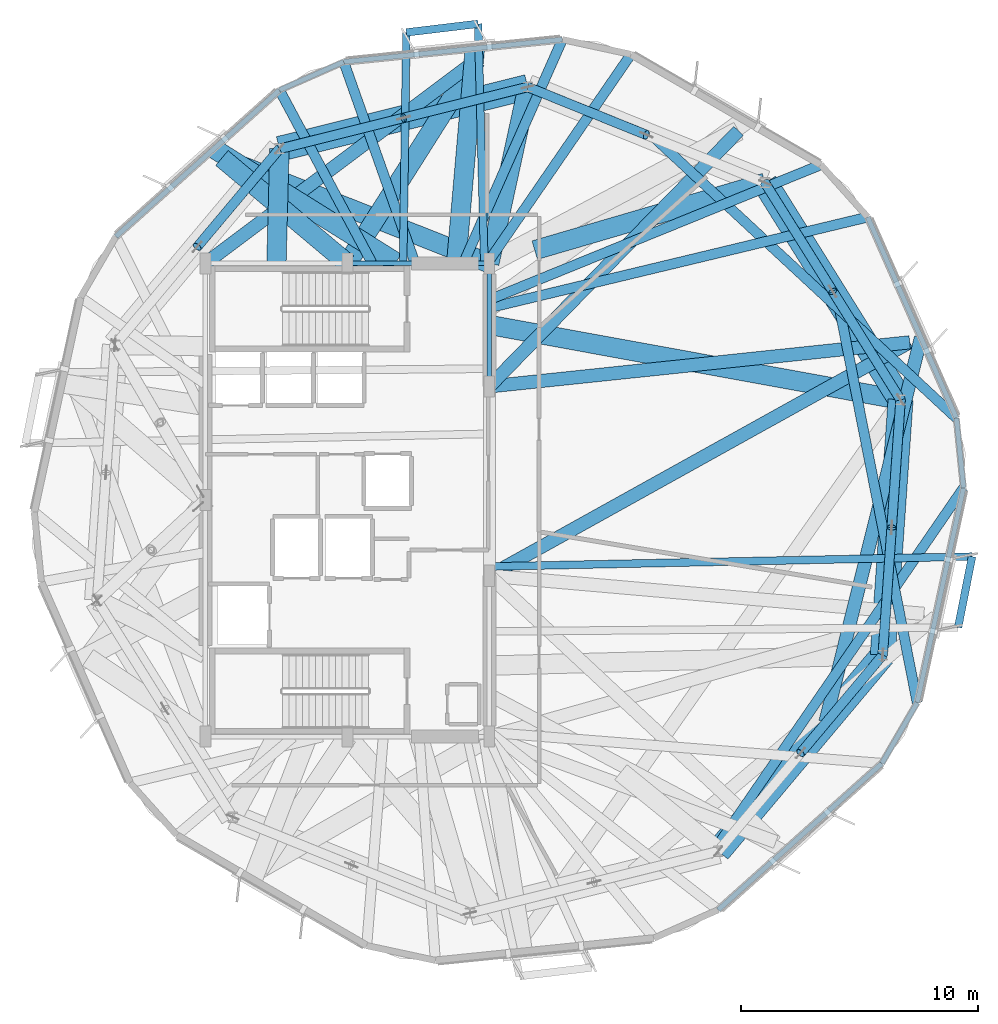
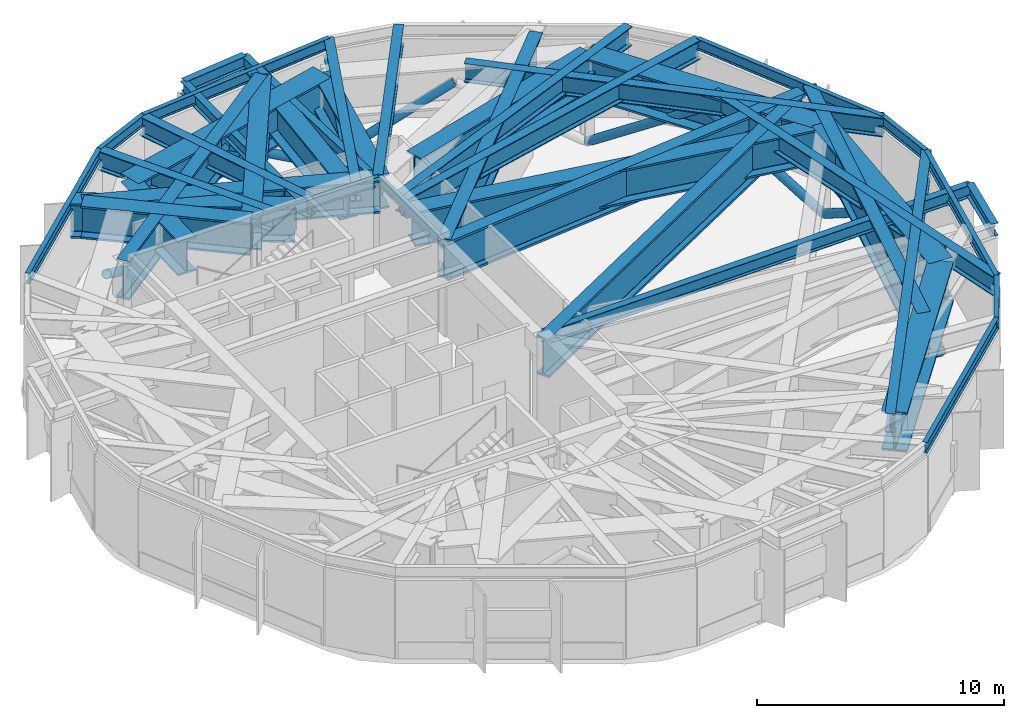
# One storey, part 4 of 14: 42 beams, 9 members.
"""IFC4 building model written with IfcOpenShell, lengths in metres."""

from ifc_helpers import new_model, si_unit, direction, frame, origin, origin_2d, place, context, subcontext, project, spatial, hollow_circle, i_section, extrude, material, material_profile, profile_set, type_object, element, save


model = new_model("IFC4")

# Units and contexts
model_context = context("Model", 3, precision=1e-05, world=origin(), true_north=direction((0.0, 1.0)))
body_context = subcontext(model_context, "Body", "Model", "MODEL_VIEW")
ifc_project = project(units=[si_unit("LENGTHUNIT", "METRE"), si_unit("AREAUNIT", "SQUARE_METRE"), si_unit("VOLUMEUNIT", "CUBIC_METRE"), si_unit("PLANEANGLEUNIT", "RADIAN"), si_unit("MASSUNIT", "GRAM", prefix="KILO")], contexts=[model_context])

# Site, building, storey
site_placement = place(None, origin())
site = spatial("IfcSite", under=ifc_project, at=site_placement, CompositionType="ELEMENT")
building_placement = place(site_placement, origin())
building = spatial("IfcBuilding", under=site, at=building_placement, Name="Soratama Intermodal Tower", CompositionType="ELEMENT")
storey_placement = place(building_placement, frame((0.0, 0.0, 185.800048828125)))
storey = spatial("IfcBuildingStorey", under=building, at=storey_placement, Name="L46", CompositionType="ELEMENT", Elevation=185.800048828125)

# Beams
ifc_material_1 = material(Name="Structural steel ASTM A992 Grade 50", Category="steel")
ifc_material_profile_1 = material_profile(ifc_material_1, i_section(OverallWidth=0.324951171875, OverallDepth=0.615966796875, WebThickness=0.013916015625, FlangeThickness=0.021484375, FilletRadius=0.013916015625, at=origin_2d()), Name="W24X117")
ifc_profile_set_1 = profile_set([ifc_material_profile_1], Name="Structural steel ASTM A992 Grade 50")
beam_type_1 = type_object("IfcBeamType", Name="BM-CANT-W24X117", PredefinedType="BEAM", material=ifc_profile_set_1)
beam_1_placement = place(storey_placement, frame((64.412109375, 19.614013671875, 4.19189453125), z_axis=(0.19347103093, 0.981105988255, 0.0), x_axis=(-0.981105988255, 0.19347103093, 0.0)))
element("IfcBeam", 1, at=beam_1_placement, inside=storey, type_object=beam_type_1, Name="BM-L46-CBHDR-1", PredefinedType="BEAM", context=body_context, shape_type="SweptSolid", body=[
    extrude(i_section(OverallWidth=0.324951171875, OverallDepth=0.615966796875, WebThickness=0.013916015625, FlangeThickness=0.021484375, FilletRadius=0.013916015625, at=origin_2d()), origin(), (0.0, 0.0, 1.0), 3.0537109375),
])
beam_2_placement = place(storey_placement, frame((44.123046875, 45.126953125, 4.19189453125), z_axis=(-0.992865481338, -0.119239825427, 0.0), x_axis=(0.119239825427, -0.992865481338, 0.0)))
element("IfcBeam", 2, at=beam_2_placement, inside=storey, type_object=beam_type_1, Name="BM-L46-CBHDR-2", PredefinedType="BEAM", context=body_context, shape_type="SweptSolid", body=[
    extrude(i_section(OverallWidth=0.324951171875, OverallDepth=0.615966796875, WebThickness=0.013916015625, FlangeThickness=0.021484375, FilletRadius=0.013916015625, at=origin_2d()), origin(), (0.0, 0.0, 1.0), 3.052734375),
])
beam_3_placement = place(storey_placement, frame((44.8349609375, 22.19189453125, 4.19189453125), z_axis=(0.999785068296, 0.020732033483, 0.0), x_axis=(-0.020732033483, 0.999785068296, 0.0)))
element("IfcBeam", 3, at=beam_3_placement, inside=storey, type_object=beam_type_1, Name="BM-L46-CANT-1-2", PredefinedType="BEAM", context=body_context, shape_type="SweptSolid", body=[
    extrude(i_section(OverallWidth=0.324951171875, OverallDepth=0.615966796875, WebThickness=0.013916015625, FlangeThickness=0.021484375, FilletRadius=0.013916015625, at=origin_2d()), origin(), (0.0, 0.0, 1.0), 20.17236328125),
])
beam_4_placement = place(storey_placement, frame((44.385986328125, 35.0400390625, 4.19189453125), z_axis=(-0.026058531103, 0.999660418821, 0.0), x_axis=(-0.999660418821, -0.026058531103, 0.0)))
element("IfcBeam", 4, at=beam_4_placement, inside=storey, type_object=beam_type_1, Name="BM-L46-CANT-2-1", PredefinedType="BEAM", context=body_context, shape_type="SweptSolid", body=[
    extrude(i_section(OverallWidth=0.324951171875, OverallDepth=0.615966796875, WebThickness=0.013916015625, FlangeThickness=0.021484375, FilletRadius=0.013916015625, at=origin_2d()), origin(), (0.0, 0.0, 1.0), 10.09033203125),
])
beam_5_placement = place(storey_placement, frame((40.9541015625, 35.0400390625, 4.19189453125), z_axis=(0.014185640904, 0.999899378734, 0.0), x_axis=(-0.999899378734, 0.014185640904, 0.0)))
element("IfcBeam", 5, at=beam_5_placement, inside=storey, type_object=beam_type_1, Name="BM-L46-CANT-2-2", PredefinedType="BEAM", context=body_context, shape_type="SweptSolid", body=[
    extrude(i_section(OverallWidth=0.324951171875, OverallDepth=0.615966796875, WebThickness=0.013916015625, FlangeThickness=0.021484375, FilletRadius=0.013916015625, at=origin_2d()), origin(), (0.0, 0.0, 1.0), 9.723876953125),
])
ifc_material_2 = material(Name="Structural steel ASTM A992 Grade 50", Category="steel")
ifc_material_profile_2 = material_profile(ifc_material_2, i_section(OverallWidth=0.19091796875, OverallDepth=0.4599609375, WebThickness=0.010009765625, FlangeThickness=0.01611328125, FilletRadius=0.010986328125, at=origin_2d()), Name="W18X55")
ifc_profile_set_2 = profile_set([ifc_material_profile_2], Name="Structural steel ASTM A992 Grade 50")
beam_type_2 = type_object("IfcBeamType", Name="BM-FLR-W18X55", PredefinedType="BEAM", material=ifc_profile_set_2)
beam_6_placement = place(storey_placement, frame((44.60009765625, 29.800048828125, 4.27001953125), z_axis=(0.0, 1.0, 0.0), x_axis=(-1.0, 0.0, 0.0)))
element("IfcBeam", 6, at=beam_6_placement, inside=storey, type_object=beam_type_2, Name="BM-L46-CRING-05", PredefinedType="BEAM", context=body_context, shape_type="SweptSolid", body=[
    extrude(i_section(OverallWidth=0.19091796875, OverallDepth=0.4599609375, WebThickness=0.010009765625, FlangeThickness=0.01611328125, FilletRadius=0.010986328125, at=origin_2d()), origin(), (0.0, 0.0, 1.0), 5.199951171875),
])
beam_7_placement = place(storey_placement, frame((44.60009765625, 35.0, 4.27001953125), z_axis=(-1.0, 0.0, 0.0), x_axis=(0.0, -1.0, 0.0)))
element("IfcBeam", 7, at=beam_7_placement, inside=storey, type_object=beam_type_2, Name="BM-L46-CRING-06", PredefinedType="BEAM", context=body_context, shape_type="SweptSolid", body=[
    extrude(i_section(OverallWidth=0.19091796875, OverallDepth=0.4599609375, WebThickness=0.010009765625, FlangeThickness=0.01611328125, FilletRadius=0.010986328125, at=origin_2d()), origin(), (0.0, 0.0, 1.0), 6.0),
])
ifc_material_3 = material(Name="Structural steel ASTM A992 Grade 50", Category="steel")
ifc_material_profile_3 = material_profile(ifc_material_3, i_section(OverallWidth=0.423095703125, OverallDepth=0.93896484375, WebThickness=0.02392578125, FlangeThickness=0.042724609375, FilletRadius=0.02392578125, at=origin_2d()), Name="W36X302")
ifc_profile_set_3 = profile_set([ifc_material_profile_3], Name="Structural steel ASTM A992 Grade 50")
beam_type_3 = type_object("IfcBeamType", Name="BM-POD-W36X302", PredefinedType="BEAM", material=ifc_profile_set_3)
beam_8_placement = place(storey_placement, frame((44.636962890625, 33.48095703125, 4.030517578125), z_axis=(0.926221295171, 0.376980254619, 0.0), x_axis=(-0.376980254619, 0.926221295171, 0.0)))
element("IfcBeam", 8, at=beam_8_placement, inside=storey, type_object=beam_type_3, Name="BM-L46-TIE0-01", PredefinedType="BEAM", context=body_context, shape_type="SweptSolid", body=[
    extrude(i_section(OverallWidth=0.423095703125, OverallDepth=0.93896484375, WebThickness=0.02392578125, FlangeThickness=0.042724609375, FilletRadius=0.02392578125, at=origin_2d()), origin(), (0.0, 0.0, 1.0), 15.08837890625),
])
beam_9_placement = place(storey_placement, frame((44.530029296875, 35.032958984375, 4.030517578125), z_axis=(0.566564700557, 0.824017257151, 0.0), x_axis=(-0.824017257151, 0.566564700557, 0.0)))
element("IfcBeam", 9, at=beam_9_placement, inside=storey, type_object=beam_type_3, Name="BM-L46-TIE1-01", PredefinedType="BEAM", context=body_context, shape_type="SweptSolid", body=[
    extrude(i_section(OverallWidth=0.423095703125, OverallDepth=0.93896484375, WebThickness=0.02392578125, FlangeThickness=0.042724609375, FilletRadius=0.02392578125, at=origin_2d()), origin(), (0.0, 0.0, 1.0), 10.685302734375),
])
beam_10_placement = place(storey_placement, frame((43.51611328125, 35.037109375, 4.030517578125), z_axis=(0.404370765317, 0.914595147679, 0.0), x_axis=(-0.914595147679, 0.404370765317, 0.0)))
element("IfcBeam", 10, at=beam_10_placement, inside=storey, type_object=beam_type_3, Name="BM-L46-TIE0-02", PredefinedType="BEAM", context=body_context, shape_type="SweptSolid", body=[
    extrude(i_section(OverallWidth=0.423095703125, OverallDepth=0.93896484375, WebThickness=0.02392578125, FlangeThickness=0.042724609375, FilletRadius=0.02392578125, at=origin_2d()), origin(), (0.0, 0.0, 1.0), 10.307373046875),
])
beam_11_placement = place(storey_placement, frame((41.447021484375, 35.0380859375, 4.030517578125), z_axis=(-0.333671376214, 0.942689457189, 0.0), x_axis=(-0.942689457189, -0.333671376214, 0.0)))
element("IfcBeam", 11, at=beam_11_placement, inside=storey, type_object=beam_type_3, Name="BM-L46-TIE1-02", PredefinedType="BEAM", context=body_context, shape_type="SweptSolid", body=[
    extrude(i_section(OverallWidth=0.423095703125, OverallDepth=0.93896484375, WebThickness=0.02392578125, FlangeThickness=0.042724609375, FilletRadius=0.02392578125, at=origin_2d()), origin(), (0.0, 0.0, 1.0), 8.999755859375),
])
beam_12_placement = place(storey_placement, frame((39.6298828125, 35.034912109375, 4.030517578125), z_axis=(-0.471755847605, 0.881729221616, 0.0), x_axis=(-0.881729221616, -0.471755847605, 0.0)))
element("IfcBeam", 12, at=beam_12_placement, inside=storey, type_object=beam_type_3, Name="BM-L46-TIE0-03", PredefinedType="BEAM", context=body_context, shape_type="SweptSolid", body=[
    extrude(i_section(OverallWidth=0.423095703125, OverallDepth=0.93896484375, WebThickness=0.02392578125, FlangeThickness=0.042724609375, FilletRadius=0.02392578125, at=origin_2d()), origin(), (0.0, 0.0, 1.0), 8.266845703125),
])
beam_13_placement = place(storey_placement, frame((59.327880859375, 33.450927734375, 4.030517578125), z_axis=(0.193367954008, -0.981126309077, 0.0), x_axis=(0.981126309077, 0.193367954008, 0.0)))
element("IfcBeam", 13, at=beam_13_placement, inside=storey, type_object=beam_type_3, Name="BM-L46-TIE0-09", PredefinedType="BEAM", context=body_context, shape_type="SweptSolid", body=[
    extrude(i_section(OverallWidth=0.423095703125, OverallDepth=0.93896484375, WebThickness=0.02392578125, FlangeThickness=0.042724609375, FilletRadius=0.02392578125, at=origin_2d()), origin(), (0.0, 0.0, 1.0), 17.34521484375),
])
beam_14_placement = place(storey_placement, frame((54.071044921875, 10.135986328125, 4.030517578125), z_axis=(0.566519937473, 0.824048032851, 0.0), x_axis=(-0.824048032851, 0.566519937473, 0.0)))
element("IfcBeam", 14, at=beam_14_placement, inside=storey, type_object=beam_type_3, Name="BM-L46-TIE1-09", PredefinedType="BEAM", context=body_context, shape_type="SweptSolid", body=[
    extrude(i_section(OverallWidth=0.423095703125, OverallDepth=0.93896484375, WebThickness=0.02392578125, FlangeThickness=0.042724609375, FilletRadius=0.02392578125, at=origin_2d()), origin(), (0.0, 0.0, 1.0), 18.657958984375),
])
beam_15_placement = place(storey_placement, frame((51.6240234375, 40.259033203125, 4.030517578125), z_axis=(0.733125754823, -0.680093102167, 0.0), x_axis=(0.680093102167, 0.733125754823, 0.0)))
element("IfcBeam", 15, at=beam_15_placement, inside=storey, type_object=beam_type_3, Name="BM-L46-TIE0-10", PredefinedType="BEAM", context=body_context, shape_type="SweptSolid", body=[
    extrude(i_section(OverallWidth=0.423095703125, OverallDepth=0.93896484375, WebThickness=0.02392578125, FlangeThickness=0.042724609375, FilletRadius=0.02392578125, at=origin_2d()), origin(), (0.0, 0.0, 1.0), 17.346435546875),
])
beam_16_placement = place(storey_placement, frame((44.638916015625, 33.132080078125, 4.030517578125), z_axis=(0.972419851296, 0.233237288626, 0.0), x_axis=(-0.233237288626, 0.972419851296, 0.0)))
element("IfcBeam", 16, at=beam_16_placement, inside=storey, type_object=beam_type_3, Name="BM-L46-TIE1-10", PredefinedType="BEAM", context=body_context, shape_type="SweptSolid", body=[
    extrude(i_section(OverallWidth=0.423095703125, OverallDepth=0.93896484375, WebThickness=0.02392578125, FlangeThickness=0.042724609375, FilletRadius=0.02392578125, at=origin_2d()), origin(), (0.0, 0.0, 1.0), 16.403564453125),
])
ifc_material_4 = material(Name="Structural steel ASTM A992 Grade 50", Category="steel")
ifc_material_profile_4 = material_profile(ifc_material_4, i_section(OverallWidth=0.2099609375, OverallDepth=0.537109375, WebThickness=0.010986328125, FlangeThickness=0.017333984375, FilletRadius=0.012939453125, at=origin_2d()), Name="W21X68")
ifc_profile_set_4 = profile_set([ifc_material_profile_4], Name="Structural steel ASTM A992 Grade 50")
beam_type_4 = type_object("IfcBeamType", Name="BM-SPN-W21X68", PredefinedType="SPANDREL", material=ifc_profile_set_4)
beam_17_placement = place(storey_placement, frame((47.68408203125, 44.464111328125, 4.2314453125), z_axis=(-0.994841940846, -0.101437235441, 0.0), x_axis=(0.101437235441, -0.994841940846, 0.0)))
element("IfcBeam", 17, at=beam_17_placement, inside=storey, type_object=beam_type_4, Name="BS-L46-F02", PredefinedType="SPANDREL", context=body_context, shape_type="SweptSolid", body=[
    extrude(i_section(OverallWidth=0.2099609375, OverallDepth=0.537109375, WebThickness=0.010986328125, FlangeThickness=0.017333984375, FilletRadius=0.012939453125, at=origin_2d()), origin(), (0.0, 0.0, 1.0), 9.287841796875),
])
beam_18_placement = place(storey_placement, frame((38.444091796875, 43.52197265625, 4.2314453125), z_axis=(-0.914843597904, -0.403808359712, 0.0), x_axis=(0.403808359712, -0.914843597904, 0.0)))
element("IfcBeam", 18, at=beam_18_placement, inside=storey, type_object=beam_type_4, Name="BS-L46-CRN02", PredefinedType="SPANDREL", context=body_context, shape_type="SweptSolid", body=[
    extrude(i_section(OverallWidth=0.2099609375, OverallDepth=0.537109375, WebThickness=0.010986328125, FlangeThickness=0.017333984375, FilletRadius=0.012939453125, at=origin_2d()), origin(), (0.0, 0.0, 1.0), 2.966796875),
])
for number, where, z_axis, x_axis, name in (
    (19, (35.72998046875, 42.323974609375, 4.2314453125), (-0.745267441116, -0.666765656893, 0.0), (0.666765656893, -0.745267441116, 0.0), "BS-L46-F03"),
    (20, (54.27001953125, 7.676025390625, 4.2314453125), (0.745267441116, 0.666765656893, 0.0), (-0.666765656893, 0.745267441116, 0.0), "BS-L46-F08"),
):
    element("IfcBeam", number, at=place(storey_placement, frame(where, z_axis=z_axis, x_axis=x_axis)), inside=storey, type_object=beam_type_4, Name=name, PredefinedType="SPANDREL", context=body_context, shape_type="SweptSolid", body=[
        extrude(i_section(OverallWidth=0.2099609375, OverallDepth=0.537109375, WebThickness=0.010986328125, FlangeThickness=0.017333984375, FilletRadius=0.012939453125, at=origin_2d()), origin(), (0.0, 0.0, 1.0), 9.286376953125),
    ])
beam_19_placement = place(storey_placement, frame((61.19091796875, 13.867919921875, 4.2314453125), z_axis=(0.50251462057, 0.864568711042, 0.0), x_axis=(-0.864568711042, 0.50251462057, 0.0)))
element("IfcBeam", 21, at=beam_19_placement, inside=storey, type_object=beam_type_4, Name="BS-L46-CRN08", PredefinedType="SPANDREL", context=body_context, shape_type="SweptSolid", body=[
    extrude(i_section(OverallWidth=0.2099609375, OverallDepth=0.537109375, WebThickness=0.010986328125, FlangeThickness=0.017333984375, FilletRadius=0.012939453125, at=origin_2d()), origin(), (0.0, 0.0, 1.0), 2.967041015625),
])
beam_20_placement = place(storey_placement, frame((62.681884765625, 16.43310546875, 4.2314453125), z_axis=(0.210966918828, 0.977493201593, 0.0), x_axis=(-0.977493201593, 0.210966918828, 0.0)))
element("IfcBeam", 22, at=beam_20_placement, inside=storey, type_object=beam_type_4, Name="BS-L46-F09", PredefinedType="SPANDREL", context=body_context, shape_type="SweptSolid", body=[
    extrude(i_section(OverallWidth=0.2099609375, OverallDepth=0.537109375, WebThickness=0.010986328125, FlangeThickness=0.017333984375, FilletRadius=0.012939453125, at=origin_2d()), origin(), (0.0, 0.0, 1.0), 9.286865234375),
])
beam_21_placement = place(storey_placement, frame((64.64111328125, 25.510986328125, 4.2314453125), z_axis=(-0.101157913396, 0.994870381787, 0.0), x_axis=(-0.994870381787, -0.101157913396, 0.0)))
element("IfcBeam", 23, at=beam_21_placement, inside=storey, type_object=beam_type_4, Name="BS-L46-CRN09", PredefinedType="SPANDREL", context=body_context, shape_type="SweptSolid", body=[
    extrude(i_section(OverallWidth=0.2099609375, OverallDepth=0.537109375, WebThickness=0.010986328125, FlangeThickness=0.017333984375, FilletRadius=0.012939453125, at=origin_2d()), origin(), (0.0, 0.0, 1.0), 2.966064453125),
])
beam_22_placement = place(storey_placement, frame((64.341064453125, 28.4619140625, 4.2314453125), z_axis=(-0.403883538706, 0.914810410502, 0.0), x_axis=(-0.914810410502, -0.403883538706, 0.0)))
element("IfcBeam", 24, at=beam_22_placement, inside=storey, type_object=beam_type_4, Name="BS-L46-F10", PredefinedType="SPANDREL", context=body_context, shape_type="SweptSolid", body=[
    extrude(i_section(OverallWidth=0.2099609375, OverallDepth=0.537109375, WebThickness=0.010986328125, FlangeThickness=0.017333984375, FilletRadius=0.012939453125, at=origin_2d()), origin(), (0.0, 0.0, 1.0), 9.287353515625),
])
ifc_material_5 = material(Name="Structural steel ASTM A992 Grade 50", Category="steel")
ifc_material_profile_5 = material_profile(ifc_material_5, i_section(OverallWidth=0.56005859375, OverallDepth=1.919921875, WebThickness=0.05810546875, FlangeThickness=0.110107421875, FilletRadius=0.02392578125, at=origin_2d()), Name="PG2150X720")
ifc_profile_set_5 = profile_set([ifc_material_profile_5], Name="Structural steel ASTM A992 Grade 50")
beam_type_5 = type_object("IfcBeamType", Name="BM-ZSTEP-LONG", PredefinedType="BEAM", material=ifc_profile_set_5)
beam_23_placement = place(storey_placement, frame((44.60009765625, 29.800048828125, 3.5400390625), z_axis=(0.994528869, 0.104462092294, 0.0), x_axis=(-0.104462092294, 0.994528869, 0.0)))
element("IfcBeam", 25, at=beam_23_placement, inside=storey, type_object=beam_type_5, Name="BM-L46-ZSTEP-A01", PredefinedType="BEAM", context=body_context, shape_type="SweptSolid", body=[
    extrude(i_section(OverallWidth=0.56005859375, OverallDepth=1.919921875, WebThickness=0.05810546875, FlangeThickness=0.110107421875, FilletRadius=0.02392578125, at=origin_2d()), origin(), (0.0, 0.0, 1.0), 17.862548828125),
])
beam_24_placement = place(storey_placement, frame((62.364990234375, 31.666015625, 3.5400390625), z_axis=(-0.874228673082, -0.485514394392, 0.0), x_axis=(0.485514394392, -0.874228673082, 0.0)))
element("IfcBeam", 26, at=beam_24_placement, inside=storey, type_object=beam_type_5, Name="BM-L46-ZSTEP-B01", PredefinedType="BEAM", context=body_context, shape_type="SweptSolid", body=[
    extrude(i_section(OverallWidth=0.56005859375, OverallDepth=1.919921875, WebThickness=0.05810546875, FlangeThickness=0.110107421875, FilletRadius=0.02392578125, at=origin_2d()), origin(), (0.0, 0.0, 1.0), 20.320556640625),
])
beam_25_placement = place(storey_placement, frame((55.1298828125, 40.59912109375, 3.5400390625), z_axis=(-0.698123577909, -0.715977283136, 0.0), x_axis=(0.715977283136, -0.698123577909, 0.0)))
element("IfcBeam", 27, at=beam_25_placement, inside=storey, type_object=beam_type_5, Name="BM-L46-ZSTEP-B02", PredefinedType="BEAM", context=body_context, shape_type="SweptSolid", body=[
    extrude(i_section(OverallWidth=0.56005859375, OverallDepth=1.919921875, WebThickness=0.05810546875, FlangeThickness=0.110107421875, FilletRadius=0.02392578125, at=origin_2d()), origin(), (0.0, 0.0, 1.0), 15.0830078125),
])
beam_26_placement = place(storey_placement, frame((44.027099609375, 43.574951171875, 3.5400390625), z_axis=(-0.79984207163, -0.600210513446, 0.0), x_axis=(0.600210513446, -0.79984207163, 0.0)))
element("IfcBeam", 28, at=beam_26_placement, inside=storey, type_object=beam_type_5, Name="BM-L46-ZSTEP-B03", PredefinedType="BEAM", context=body_context, shape_type="SweptSolid", body=[
    extrude(i_section(OverallWidth=0.56005859375, OverallDepth=1.919921875, WebThickness=0.05810546875, FlangeThickness=0.110107421875, FilletRadius=0.02392578125, at=origin_2d()), origin(), (0.0, 0.0, 1.0), 14.28662109375),
])
beam_27_placement = place(storey_placement, frame((58.800048828125, 15.611083984375, 3.5400390625), z_axis=(0.241259292178, 0.970460691598, 0.0), x_axis=(-0.970460691598, 0.241259292178, 0.0)))
element("IfcBeam", 29, at=beam_27_placement, inside=storey, type_object=beam_type_5, Name="BM-L46-ZCHORD-01", PredefinedType="BEAM", context=body_context, shape_type="SweptSolid", body=[
    extrude(i_section(OverallWidth=0.56005859375, OverallDepth=1.919921875, WebThickness=0.05810546875, FlangeThickness=0.110107421875, FilletRadius=0.02392578125, at=origin_2d()), origin(), (0.0, 0.0, 1.0), 16.74560546875),
])
ifc_material_6 = material(Name="Structural steel ASTM A992 Grade 50", Category="steel")
ifc_material_profile_6 = material_profile(ifc_material_6, i_section(OverallWidth=0.820068359375, OverallDepth=1.699951171875, WebThickness=0.053955078125, FlangeThickness=0.087890625, FilletRadius=0.02392578125, at=origin_2d()), Name="PG1580X800")
ifc_profile_set_6 = profile_set([ifc_material_profile_6], Name="Structural steel ASTM A992 Grade 50")
beam_type_6 = type_object("IfcBeamType", Name="BM-ZSTEP-PG1580", PredefinedType="BEAM", material=ifc_profile_set_6)
beam_28_placement = place(storey_placement, frame((43.205078125, 35.0849609375, 3.64990234375), z_axis=(0.086542171483, 0.996248188232, 0.0), x_axis=(-0.996248188232, 0.086542171483, 0.0)))
element("IfcBeam", 30, at=beam_28_placement, inside=storey, type_object=beam_type_6, Name="BM-L46-ZCHORD-03", PredefinedType="BEAM", context=body_context, shape_type="SweptSolid", body=[
    extrude(i_section(OverallWidth=0.820068359375, OverallDepth=1.699951171875, WebThickness=0.053955078125, FlangeThickness=0.087890625, FilletRadius=0.02392578125, at=origin_2d()), origin(), (0.0, 0.0, 1.0), 9.035888671875),
])
beam_29_placement = place(storey_placement, frame((40.656005859375, 35.044921875, 3.64990234375), z_axis=(-0.848413903814, 0.529333399489, 0.0), x_axis=(-0.529333399489, -0.848413903814, 0.0)))
element("IfcBeam", 31, at=beam_29_placement, inside=storey, type_object=beam_type_6, Name="BM-L46-ZCHORD-04", PredefinedType="BEAM", context=body_context, shape_type="SweptSolid", body=[
    extrude(i_section(OverallWidth=0.820068359375, OverallDepth=1.699951171875, WebThickness=0.053955078125, FlangeThickness=0.087890625, FilletRadius=0.02392578125, at=origin_2d()), origin(), (0.0, 0.0, 1.0), 9.06982421875),
])
beam_30_placement = place(storey_placement, frame((44.60009765625, 32.39990234375, 3.64990234375), z_axis=(0.983809710368, -0.179216220768, 0.0), x_axis=(0.179216220768, 0.983809710368, 0.0)))
element("IfcBeam", 32, at=beam_30_placement, inside=storey, type_object=beam_type_6, Name="BM-L46-RAD-01", PredefinedType="BEAM", context=body_context, shape_type="SweptSolid", body=[
    extrude(i_section(OverallWidth=0.820068359375, OverallDepth=1.699951171875, WebThickness=0.053955078125, FlangeThickness=0.087890625, FilletRadius=0.02392578125, at=origin_2d()), origin(), (0.0, 0.0, 1.0), 17.666015625),
])
beam_31_placement = place(storey_placement, frame((46.51708984375, 35.56005859375, 3.64990234375), z_axis=(0.95980181875, 0.280678586151, 0.0), x_axis=(-0.280678586151, 0.95980181875, 0.0)))
element("IfcBeam", 33, at=beam_31_placement, inside=storey, type_object=beam_type_6, Name="BM-L46-RAD-02", PredefinedType="BEAM", context=body_context, shape_type="SweptSolid", body=[
    extrude(i_section(OverallWidth=0.820068359375, OverallDepth=1.699951171875, WebThickness=0.053955078125, FlangeThickness=0.087890625, FilletRadius=0.02392578125, at=origin_2d()), origin(), (0.0, 0.0, 1.0), 10.139404296875),
])
beam_32_placement = place(storey_placement, frame((44.60009765625, 35.0, 3.64990234375), z_axis=(0.212399095304, 0.977183004515, 0.0), x_axis=(-0.977183004515, 0.212399095304, 0.0)))
element("IfcBeam", 34, at=beam_32_placement, inside=storey, type_object=beam_type_6, Name="BM-L46-RAD-03", PredefinedType="BEAM", context=body_context, shape_type="SweptSolid", body=[
    extrude(i_section(OverallWidth=0.820068359375, OverallDepth=1.699951171875, WebThickness=0.053955078125, FlangeThickness=0.087890625, FilletRadius=0.02392578125, at=origin_2d()), origin(), (0.0, 0.0, 1.0), 7.631103515625),
])
beam_33_placement = place(storey_placement, frame((35.60009765625, 35.0, 3.64990234375), z_axis=(0.026013685955, 0.99966158681, 0.0), x_axis=(-0.99966158681, 0.026013685955, 0.0)))
element("IfcBeam", 35, at=beam_33_placement, inside=storey, type_object=beam_type_6, Name="BM-L46-RAD-04", PredefinedType="BEAM", context=body_context, shape_type="SweptSolid", body=[
    extrude(i_section(OverallWidth=0.820068359375, OverallDepth=1.699951171875, WebThickness=0.053955078125, FlangeThickness=0.087890625, FilletRadius=0.02392578125, at=origin_2d()), origin(), (0.0, 0.0, 1.0), 4.8427734375),
])
ifc_material_7 = material(Name="Structural steel ASTM A992 Grade 50", Category="steel")
ifc_material_profile_7 = material_profile(ifc_material_7, i_section(OverallWidth=0.820068359375, OverallDepth=1.60205078125, WebThickness=0.055908203125, FlangeThickness=0.092041015625, FilletRadius=0.02392578125, at=origin_2d()), Name="PG1600X650")
ifc_profile_set_7 = profile_set([ifc_material_profile_7], Name="Structural steel ASTM A992 Grade 50")
beam_type_7 = type_object("IfcBeamType", Name="BM-ZSTEP-PG1600", PredefinedType="BEAM", material=ifc_profile_set_7)
beam_34_placement = place(storey_placement, frame((38.60009765625, 35.0, 3.698974609375), z_axis=(0.534784764751, 0.844988316718, 0.0), x_axis=(-0.844988316718, 0.534784764751, 0.0)))
element("IfcBeam", 36, at=beam_34_placement, inside=storey, type_object=beam_type_7, Name="BM-L46-ZSTEP-A03", PredefinedType="BEAM", context=body_context, shape_type="SweptSolid", body=[
    extrude(i_section(OverallWidth=0.820068359375, OverallDepth=1.60205078125, WebThickness=0.055908203125, FlangeThickness=0.092041015625, FilletRadius=0.02392578125, at=origin_2d()), origin(), (0.0, 0.0, 1.0), 10.14794921875),
])
beam_35_placement = place(storey_placement, frame((38.60009765625, 35.0, 3.698974609375), z_axis=(-0.765795109557, 0.64308463687, 0.0), x_axis=(-0.64308463687, -0.765795109557, 0.0)))
element("IfcBeam", 37, at=beam_35_placement, inside=storey, type_object=beam_type_7, Name="BM-L46-ZSTEP-A04", PredefinedType="BEAM", context=body_context, shape_type="SweptSolid", body=[
    extrude(i_section(OverallWidth=0.820068359375, OverallDepth=1.60205078125, WebThickness=0.055908203125, FlangeThickness=0.092041015625, FilletRadius=0.02392578125, at=origin_2d()), origin(), (0.0, 0.0, 1.0), 6.927734375),
])
beam_36_placement = place(storey_placement, frame((33.294921875, 39.455078125, 3.698974609375), z_axis=(0.930365615787, -0.366633087653, 0.0), x_axis=(0.366633087653, 0.930365615787, 0.0)))
element("IfcBeam", 38, at=beam_36_placement, inside=storey, type_object=beam_type_7, Name="BM-L46-ZSTEP-B04", PredefinedType="BEAM", context=body_context, shape_type="SweptSolid", body=[
    extrude(i_section(OverallWidth=0.820068359375, OverallDepth=1.60205078125, WebThickness=0.055908203125, FlangeThickness=0.092041015625, FilletRadius=0.02392578125, at=origin_2d()), origin(), (0.0, 0.0, 1.0), 12.1513671875),
])
ifc_material_8 = material(Name="Structural steel ASTM A992 Grade 50", Category="steel")
ifc_material_profile_8 = material_profile(ifc_material_8, i_section(OverallWidth=1.06005859375, OverallDepth=1.9599609375, WebThickness=0.05810546875, FlangeThickness=0.095947265625, FilletRadius=0.02392578125, at=origin_2d()), Name="PG2400X900")
ifc_profile_set_8 = profile_set([ifc_material_profile_8], Name="Structural steel ASTM A992 Grade 50")
beam_type_8 = type_object("IfcBeamType", Name="BM-ZSTEP-PG2400", PredefinedType="BEAM", material=ifc_profile_set_8)
beam_37_placement = place(storey_placement, frame((61.97998046875, 29.23388671875, 3.52001953125), z_axis=(-0.529891394359, 0.84806551055, 0.0), x_axis=(-0.84806551055, -0.529891394359, 0.0)))
element("IfcBeam", 39, at=beam_37_placement, inside=storey, type_object=beam_type_8, Name="BM-L46-RING-01", PredefinedType="BEAM", context=body_context, shape_type="SweptSolid", body=[
    extrude(i_section(OverallWidth=1.06005859375, OverallDepth=1.9599609375, WebThickness=0.05810546875, FlangeThickness=0.095947265625, FilletRadius=0.02392578125, at=origin_2d()), origin(), (0.0, 0.0, 1.0), 10.8154296875),
])
beam_38_placement = place(storey_placement, frame((46.220947265625, 42.45703125, 3.52001953125), z_axis=(-0.970310893227, -0.241861056155, 0.0), x_axis=(0.241861056155, -0.970310893227, 0.0)))
element("IfcBeam", 40, at=beam_38_placement, inside=storey, type_object=beam_type_8, Name="BM-L46-RING-03", PredefinedType="BEAM", context=body_context, shape_type="SweptSolid", body=[
    extrude(i_section(OverallWidth=1.06005859375, OverallDepth=1.9599609375, WebThickness=0.05810546875, FlangeThickness=0.095947265625, FilletRadius=0.02392578125, at=origin_2d()), origin(), (0.0, 0.0, 1.0), 10.81591796875),
])
beam_39_placement = place(storey_placement, frame((54.27392578125, 10.158935546875, 3.52001953125), z_axis=(0.642791781199, 0.766040942785, 0.0), x_axis=(-0.766040942785, 0.642791781199, 0.0)))
element("IfcBeam", 41, at=beam_39_placement, inside=storey, type_object=beam_type_8, Name="BM-L46-RING-09", PredefinedType="BEAM", context=body_context, shape_type="SweptSolid", body=[
    extrude(i_section(OverallWidth=1.06005859375, OverallDepth=1.9599609375, WebThickness=0.05810546875, FlangeThickness=0.095947265625, FilletRadius=0.02392578125, at=origin_2d()), origin(), (0.0, 0.0, 1.0), 10.815673828125),
])
beam_40_placement = place(storey_placement, frame((61.22607421875, 18.444091796875, 3.52001953125), z_axis=(0.069702217409, 0.99756784275, 0.0), x_axis=(-0.99756784275, 0.069702217409, 0.0)))
element("IfcBeam", 42, at=beam_40_placement, inside=storey, type_object=beam_type_8, Name="BM-L46-RING-10", PredefinedType="BEAM", context=body_context, shape_type="SweptSolid", body=[
    extrude(i_section(OverallWidth=1.06005859375, OverallDepth=1.9599609375, WebThickness=0.05810546875, FlangeThickness=0.095947265625, FilletRadius=0.02392578125, at=origin_2d()), origin(), (0.0, 0.0, 1.0), 10.816162109375),
])

# Members
ifc_material_9 = material(Name="Structural steel ASTM A500 Grade C", Category="steel")
ifc_material_profile_9 = material_profile(ifc_material_9, hollow_circle(Radius=0.203125, WallThickness=0.01611328125, at=origin_2d()), Name="CHS406X16")
ifc_profile_set_9 = profile_set([ifc_material_profile_9], Name="Structural steel ASTM A500 Grade C")
member_type = type_object("IfcMemberType", Name="MB-BLT-CHS406", PredefinedType="BRACE", material=ifc_profile_set_9)
for number, where, z_axis, x_axis, name in (
    (43, (61.980224609375, 29.233642578125, 0.010009765625), (-0.444507246172, 0.711332774927, 0.544443744949), (-0.848038882979, -0.529934008114, 0.0), "L46 Belt Truss Brace A 01"),
    (44, (56.248779296875, 38.40576171875, 0.010009765625), (0.444495272416, -0.711351481712, 0.544429079189), (0.84805156085, 0.529913719524, 0.0), "L46 Belt Truss Brace B 01"),
):
    element("IfcMember", number, at=place(storey_placement, frame(where, z_axis=z_axis, x_axis=x_axis)), inside=storey, type_object=member_type, Name=name, PredefinedType="BRACE", context=body_context, shape_type="SweptSolid", body=[
        extrude(hollow_circle(Radius=0.203125, WallThickness=0.01611328125, at=origin_2d()), origin(), (0.0, 0.0, 1.0), 6.447021484375),
    ])
member_1_placement = place(storey_placement, frame((46.220703125, 42.45751953125, 0.010009765625), z_axis=(0.77772895855, -0.314227037591, 0.544425418106), x_axis=(0.37461083816, 0.927182139568, 0.0)))
element("IfcMember", 45, at=member_1_placement, inside=storey, type_object=member_type, Name="L46 Belt Truss Brace B 02", PredefinedType="BRACE", context=body_context, shape_type="SweptSolid", body=[
    extrude(hollow_circle(Radius=0.203125, WallThickness=0.01611328125, at=origin_2d()), origin(), (0.0, 0.0, 1.0), 6.447265625),
])
member_2_placement = place(storey_placement, frame((46.220703125, 42.45751953125, 0.010009765625), z_axis=(-0.813878945843, -0.202939571504, 0.544441541243), x_axis=(0.241940706404, -0.970291036022, 0.0)))
element("IfcMember", 46, at=member_2_placement, inside=storey, type_object=member_type, Name="L46 Belt Truss Brace A 03", PredefinedType="BRACE", context=body_context, shape_type="SweptSolid", body=[
    extrude(hollow_circle(Radius=0.203125, WallThickness=0.01611328125, at=origin_2d()), origin(), (0.0, 0.0, 1.0), 6.447021484375),
])
member_3_placement = place(storey_placement, frame((35.726318359375, 39.8408203125, 0.010009765625), z_axis=(0.813891729842, 0.202933316904, 0.544424761547), x_axis=(-0.241930108556, 0.970293678519, 0.0)))
element("IfcMember", 47, at=member_3_placement, inside=storey, type_object=member_type, Name="L46 Belt Truss Brace B 03", PredefinedType="BRACE", context=body_context, shape_type="SweptSolid", body=[
    extrude(hollow_circle(Radius=0.203125, WallThickness=0.01611328125, at=origin_2d()), origin(), (0.0, 0.0, 1.0), 6.447265625),
])
for number, where, z_axis, x_axis, name in (
    (48, (35.726318359375, 39.8408203125, 0.010009765625), (-0.539174388277, -0.642555908153, 0.544438135993), (0.766040942785, -0.642791781199, 0.0), "L46 Belt Truss Brace A 04"),
    (49, (61.2255859375, 18.4443359375, 0.010009765625), (-0.539147527535, -0.64256902769, 0.544449252186), (0.766063173185, -0.642765287402, 0.0), "L46 Belt Truss Brace B 09"),
):
    element("IfcMember", number, at=place(storey_placement, frame(where, z_axis=z_axis, x_axis=x_axis)), inside=storey, type_object=member_type, Name=name, PredefinedType="BRACE", context=body_context, shape_type="SweptSolid", body=[
        extrude(hollow_circle(Radius=0.203125, WallThickness=0.01611328125, at=origin_2d()), origin(), (0.0, 0.0, 1.0), 6.447021484375),
    ])
member_4_placement = place(storey_placement, frame((61.2255859375, 18.4443359375, 0.010009765625), z_axis=(0.058543571382, 0.836764098853, 0.544424919636), x_axis=(-0.997561450837, 0.069793637281, 0.0)))
element("IfcMember", 50, at=member_4_placement, inside=storey, type_object=member_type, Name="L46 Belt Truss Brace A 10", PredefinedType="BRACE", context=body_context, shape_type="SweptSolid", body=[
    extrude(hollow_circle(Radius=0.203125, WallThickness=0.01611328125, at=origin_2d()), origin(), (0.0, 0.0, 1.0), 6.447265625),
])
member_5_placement = place(storey_placement, frame((61.980224609375, 29.233642578125, 0.010009765625), z_axis=(-0.058507687166, -0.83675459911, 0.544443377598), x_axis=(0.997564373322, -0.069751853584, 0.0)))
element("IfcMember", 51, at=member_5_placement, inside=storey, type_object=member_type, Name="L46 Belt Truss Brace B 10", PredefinedType="BRACE", context=body_context, shape_type="SweptSolid", body=[
    extrude(hollow_circle(Radius=0.203125, WallThickness=0.01611328125, at=origin_2d()), origin(), (0.0, 0.0, 1.0), 6.447021484375),
])

save(model, "model.ifc")
